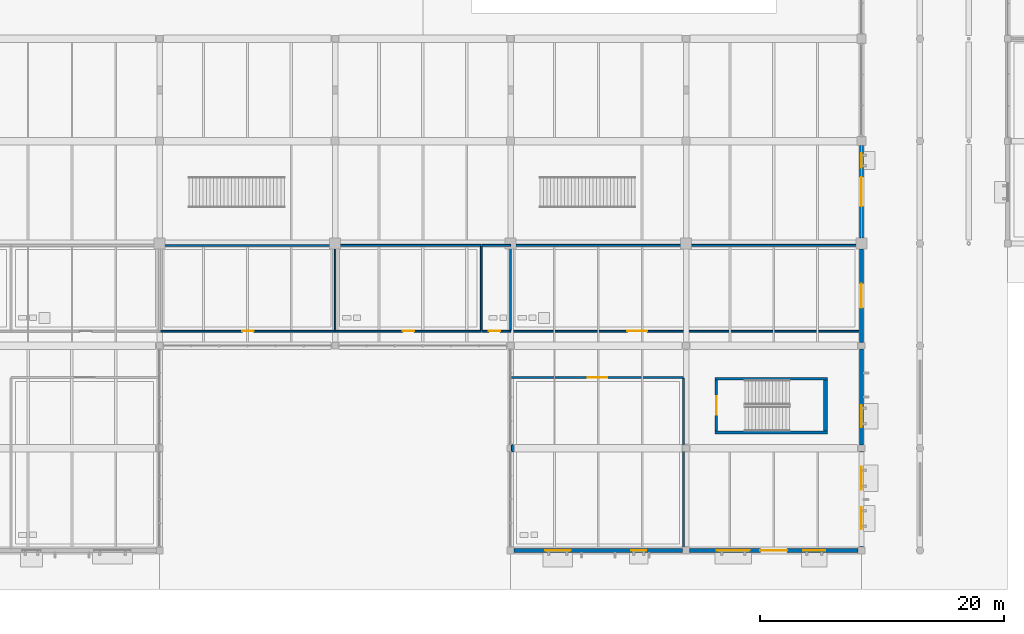
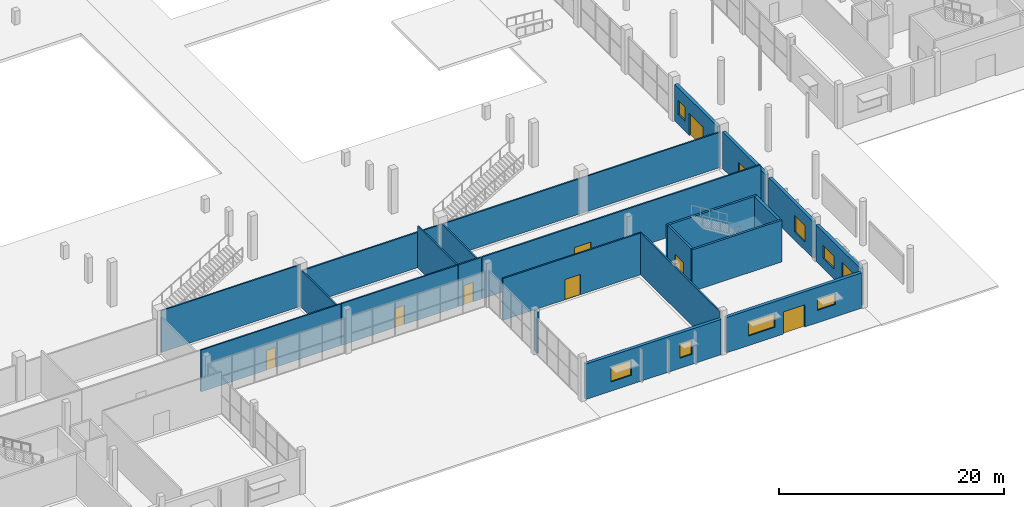
# One storey, part 92 of 130: 24 walls, 9 doors, 8 windows, 17 openings.
"""IFC4 building model written with IfcOpenShell, lengths in metres."""

from ifc_helpers import new_model, si_unit, direction, frame, frame_2d, origin, place, context, subcontext, project, spatial, rectangle, extrude, material, layer, layer_set, type_object, element, fill, save


model = new_model("IFC4")

# Units and contexts
model_context = context("Model", 3, precision=1e-05, world=origin(), true_north=direction((0.0, 1.0)))
body_context = subcontext(model_context, "Body", "Model", "MODEL_VIEW")
ifc_project = project(units=[si_unit("LENGTHUNIT", "METRE"), si_unit("AREAUNIT", "SQUARE_METRE"), si_unit("VOLUMEUNIT", "CUBIC_METRE"), si_unit("PLANEANGLEUNIT", "RADIAN"), si_unit("MASSUNIT", "GRAM", prefix="KILO"), si_unit("THERMODYNAMICTEMPERATUREUNIT", "KELVIN")], contexts=[model_context])

# Site, building, storey
site_placement = place(None, origin())
site = spatial("IfcSite", under=ifc_project, at=site_placement, CompositionType="ELEMENT")
building_placement = place(site_placement, origin())
building = spatial("IfcBuilding", under=site, at=building_placement, Name="Nduvali Passage Aquatics Centre", CompositionType="ELEMENT")
storey_placement = place(building_placement, origin())
storey = spatial("IfcBuildingStorey", under=building, at=storey_placement, Name="L00", CompositionType="ELEMENT", Elevation=0.0)

# Wall, openings, windows
ifc_material_1 = material(Name="Coral-stone masonry blockwork", Category="masonry")
ifc_layer_1 = layer(ifc_material_1, 0.320068359375, Name="Coral-stone masonry blockwork")
ifc_layer_set_1 = layer_set([ifc_layer_1], Name="Coral-stone masonry blockwork")
wall_type_1 = type_object("IfcWallType", Name="ENV-WAL-CORAL320", PredefinedType="STANDARD", material=ifc_layer_set_1)
wall_1_placement = place(storey_placement, frame((97.47509765625, 0.0, 0.0), z_axis=(0.0, 0.0, 1.0), x_axis=(1.0, 0.0, 0.0)))
wall_1 = element("IfcWall", 1, at=wall_1_placement, inside=storey, type_object=wall_type_1, Name="L00 South Coral Facade 0003", PredefinedType="STANDARD", context=body_context, shape_type="SweptSolid", body=[
    extrude(rectangle(XDim=13.849853515625, YDim=0.320068359375, at=frame_2d((6.9248046875, 0.0))), origin(), (0.0, 0.0, 1.0), 3.83251953125),
])
opening_1_placement = place(wall_1_placement, frame((2.551025390625, 0.0, 1.0)))
opening_1 = element("IfcOpeningElement", 2, at=opening_1_placement, cuts=wall_1, Name="Opening W5", PredefinedType="OPENING", context=body_context, shape_type="SweptSolid", body=[
    extrude(rectangle(XDim=2.10009765625, YDim=1.60009765625, at=frame_2d((1.050048828125, 0.800048828125))), frame((0.0, 0.1748046875, 0.0), z_axis=(0.0, -1.0, 0.0), x_axis=(1.0, 0.0, 0.0)), (0.0, 0.0, 1.0), 0.349853515625),
])
opening_2_placement = place(wall_1_placement, frame((9.64892578125, 0.0, 1.10009765625)))
opening_2 = element("IfcOpeningElement", 3, at=opening_2_placement, cuts=wall_1, Name="Opening W6", PredefinedType="OPENING", context=body_context, shape_type="SweptSolid", body=[
    extrude(rectangle(XDim=1.199951171875, YDim=1.5, at=frame_2d((0.60009765625, 0.75))), frame((0.0, 0.1748046875, 0.0), z_axis=(0.0, -1.0, 0.0), x_axis=(1.0, 0.0, 0.0)), (0.0, 0.0, 1.0), 0.349853515625),
])
ifc_material_2 = material(Name="Aluminium-framed solar-control low-E IGU", Category="aluminium")
window_type_1 = type_object("IfcWindowType", Name="ENV-WIN-W5", PartitioningType="SINGLE_PANEL", PredefinedType="WINDOW", material=ifc_material_2)
window_1_placement = place(opening_1_placement, origin())
window_1 = element("IfcWindow", 4, at=window_1_placement, inside=storey, type_object=window_type_1, Name="L00 Exterior Window W5-0005", OverallHeight=1.60009765625, OverallWidth=2.10009765625, PartitioningType="SINGLE_PANEL", PredefinedType="WINDOW", context=body_context, shape_type="SweptSolid", body=[
    extrude(rectangle(XDim=2.10009765625, YDim=1.60009765625, at=frame_2d((1.050048828125, 0.800048828125))), frame((0.0, 0.030029296875, 0.0), z_axis=(0.0, -1.0, 0.0), x_axis=(1.0, 0.0, 0.0)), (0.0, 0.0, 1.0), 0.06005859375),
])
fill(opening_1, window_1)
window_type_2 = type_object("IfcWindowType", Name="ENV-WIN-W6", PartitioningType="SINGLE_PANEL", PredefinedType="WINDOW", material=ifc_material_2)
window_2_placement = place(opening_2_placement, origin())
window_2 = element("IfcWindow", 5, at=window_2_placement, inside=storey, type_object=window_type_2, Name="L00 Exterior Window W6-0006", OverallHeight=1.5, OverallWidth=1.199951171875, PartitioningType="SINGLE_PANEL", PredefinedType="WINDOW", context=body_context, shape_type="SweptSolid", body=[
    extrude(rectangle(XDim=1.199951171875, YDim=1.5, at=frame_2d((0.60009765625, 0.75))), frame((0.0, 0.030029296875, 0.0), z_axis=(0.0, -1.0, 0.0), x_axis=(1.0, 0.0, 0.0)), (0.0, 0.0, 1.0), 0.06005859375),
])
fill(opening_2, window_2)

# Wall, openings, door, windows
wall_2_placement = place(storey_placement, frame((111.875, 0.0, 0.0), z_axis=(0.0, 0.0, 1.0), x_axis=(1.0, 0.0, 0.0)))
wall_2 = element("IfcWall", 6, at=wall_2_placement, inside=storey, type_object=wall_type_1, Name="L00 South Coral Facade 0004", PredefinedType="STANDARD", context=body_context, shape_type="SweptSolid", body=[
    extrude(rectangle(XDim=13.85009765625, YDim=0.320068359375, at=frame_2d((6.925048828125, 0.0))), origin(), (0.0, 0.0, 1.0), 3.83251953125),
])
opening_3_placement = place(wall_2_placement, frame((5.824951171875, 0.0, 0.0)))
opening_3 = element("IfcOpeningElement", 7, at=opening_3_placement, cuts=wall_2, Name="Opening ED1B", PredefinedType="OPENING", context=body_context, shape_type="SweptSolid", body=[
    extrude(rectangle(XDim=2.199951171875, YDim=2.39990234375, at=frame_2d((1.10009765625, 1.199951171875))), frame((0.0, 0.1748046875, 0.0), z_axis=(0.0, -1.0, 0.0), x_axis=(1.0, 0.0, 0.0)), (0.0, 0.0, 1.0), 0.349853515625),
])
opening_4_placement = place(wall_2_placement, frame((2.2509765625, 0.0, 1.050048828125)))
opening_4 = element("IfcOpeningElement", 8, at=opening_4_placement, cuts=wall_2, Name="Opening W7", PredefinedType="OPENING", context=body_context, shape_type="SweptSolid", body=[
    extrude(rectangle(XDim=2.699951171875, YDim=1.5, at=frame_2d((1.35009765625, 0.75))), frame((0.0, 0.1748046875, 0.0), z_axis=(0.0, -1.0, 0.0), x_axis=(1.0, 0.0, 0.0)), (0.0, 0.0, 1.0), 0.349853515625),
])
opening_5_placement = place(wall_2_placement, frame((9.34912109375, 0.0, 1.35009765625)))
opening_5 = element("IfcOpeningElement", 9, at=opening_5_placement, cuts=wall_2, Name="Opening W8", PredefinedType="OPENING", context=body_context, shape_type="SweptSolid", body=[
    extrude(rectangle(XDim=1.800048828125, YDim=1.199951171875, at=frame_2d((0.89990234375, 0.60009765625))), frame((0.0, 0.1748046875, 0.0), z_axis=(0.0, -1.0, 0.0), x_axis=(1.0, 0.0, 0.0)), (0.0, 0.0, 1.0), 0.349853515625),
])
ifc_material_3 = material(Name="Aluminium-framed glazed door", Category="aluminium")
door_type_1 = type_object("IfcDoorType", Name="ENV-DR-EX220", OperationType="DOUBLE_DOOR_SINGLE_SWING", PredefinedType="DOOR", material=ifc_material_3)
door_1_placement = place(opening_3_placement, frame((2.199951171875, 0.0, 0.0), z_axis=(0.0, 0.0, 1.0), x_axis=(-1.0, 0.0, 0.0)))
door_1 = element("IfcDoor", 10, at=door_1_placement, inside=storey, type_object=door_type_1, Name="L00 Exterior Exit Door ED1B-002", OperationType="DOUBLE_DOOR_SINGLE_SWING", OverallHeight=2.39990234375, OverallWidth=2.199951171875, PredefinedType="DOOR", context=body_context, shape_type="SweptSolid", body=[
    extrude(rectangle(XDim=2.199951171875, YDim=2.39990234375, at=frame_2d((1.10009765625, 1.199951171875))), frame((0.0, 0.02490234375, 0.0), z_axis=(0.0, -1.0, 0.0), x_axis=(1.0, 0.0, 0.0)), (0.0, 0.0, 1.0), 0.050048828125),
])
fill(opening_3, door_1)
window_type_3 = type_object("IfcWindowType", Name="ENV-WIN-W7", PartitioningType="SINGLE_PANEL", PredefinedType="WINDOW", material=ifc_material_2)
window_3_placement = place(opening_4_placement, origin())
window_3 = element("IfcWindow", 11, at=window_3_placement, inside=storey, type_object=window_type_3, Name="L00 Exterior Window W7-0007", OverallHeight=1.5, OverallWidth=2.699951171875, PartitioningType="SINGLE_PANEL", PredefinedType="WINDOW", context=body_context, shape_type="SweptSolid", body=[
    extrude(rectangle(XDim=2.699951171875, YDim=1.5, at=frame_2d((1.35009765625, 0.75))), frame((0.0, 0.030029296875, 0.0), z_axis=(0.0, -1.0, 0.0), x_axis=(1.0, 0.0, 0.0)), (0.0, 0.0, 1.0), 0.06005859375),
])
fill(opening_4, window_3)
window_type_4 = type_object("IfcWindowType", Name="ENV-WIN-W8", PartitioningType="SINGLE_PANEL", PredefinedType="WINDOW", material=ifc_material_2)
window_4_placement = place(opening_5_placement, origin())
window_4 = element("IfcWindow", 12, at=window_4_placement, inside=storey, type_object=window_type_4, Name="L00 Exterior Window W8-0008", OverallHeight=1.199951171875, OverallWidth=1.800048828125, PartitioningType="SINGLE_PANEL", PredefinedType="WINDOW", context=body_context, shape_type="SweptSolid", body=[
    extrude(rectangle(XDim=1.800048828125, YDim=1.199951171875, at=frame_2d((0.89990234375, 0.60009765625))), frame((0.0, 0.030029296875, 0.0), z_axis=(0.0, -1.0, 0.0), x_axis=(1.0, 0.0, 0.0)), (0.0, 0.0, 1.0), 0.06005859375),
])
fill(opening_5, window_4)

# Wall, openings, windows
wall_3_placement = place(storey_placement, frame((126.0, 0.27490234375, 0.0), z_axis=(0.0, 0.0, 1.0), x_axis=(0.0, 1.0, 0.0)))
wall_3 = element("IfcWall", 13, at=wall_3_placement, inside=storey, type_object=wall_type_1, Name="L00 External Coral-Stone Wall 0006", PredefinedType="STANDARD", context=body_context, shape_type="SweptSolid", body=[
    extrude(rectangle(XDim=7.85009765625, YDim=0.320068359375, at=frame_2d((3.925048828125, 0.0))), origin(), (0.0, 0.0, 1.0), 3.976318359375),
])
opening_6_placement = place(wall_3_placement, frame((1.455078125, 0.0, 0.89990234375)))
opening_6 = element("IfcOpeningElement", 14, at=opening_6_placement, cuts=wall_3, Name="Opening W2", PredefinedType="OPENING", context=body_context, shape_type="SweptSolid", body=[
    extrude(rectangle(XDim=1.800048828125, YDim=1.800048828125, at=frame_2d((0.89990234375, 0.89990234375))), frame((0.0, 0.1748046875, 0.0), z_axis=(0.0, -1.0, 0.0), x_axis=(1.0, 0.0, 0.0)), (0.0, 0.0, 1.0), 0.349853515625),
])
opening_7_placement = place(wall_3_placement, frame((4.701904296875, 0.0, 1.10009765625)))
opening_7 = element("IfcOpeningElement", 15, at=opening_7_placement, cuts=wall_3, Name="Opening W16", PredefinedType="OPENING", context=body_context, shape_type="SweptSolid", body=[
    extrude(rectangle(XDim=1.89990234375, YDim=1.39990234375, at=frame_2d((0.949951171875, 0.699951171875))), frame((0.0, 0.1748046875, 0.0), z_axis=(0.0, -1.0, 0.0), x_axis=(1.0, 0.0, 0.0)), (0.0, 0.0, 1.0), 0.349853515625),
])
window_type_5 = type_object("IfcWindowType", Name="ENV-WIN-W16", PartitioningType="SINGLE_PANEL", PredefinedType="WINDOW", material=ifc_material_2)
window_5_placement = place(opening_7_placement, origin())
window_5 = element("IfcWindow", 16, at=window_5_placement, inside=storey, type_object=window_type_5, Name="L00 Exterior Window W16-0012", OverallHeight=1.39990234375, OverallWidth=1.89990234375, PartitioningType="SINGLE_PANEL", PredefinedType="WINDOW", context=body_context, shape_type="SweptSolid", body=[
    extrude(rectangle(XDim=1.89990234375, YDim=1.39990234375, at=frame_2d((0.949951171875, 0.699951171875))), frame((0.0, 0.030029296875, 0.0), z_axis=(0.0, -1.0, 0.0), x_axis=(1.0, 0.0, 0.0)), (0.0, 0.0, 1.0), 0.06005859375),
])
fill(opening_7, window_5)
window_type_6 = type_object("IfcWindowType", Name="ENV-WIN-W2", PartitioningType="SINGLE_PANEL", PredefinedType="WINDOW", material=ifc_material_2)
window_6_placement = place(opening_6_placement, origin())
window_6 = element("IfcWindow", 17, at=window_6_placement, inside=storey, type_object=window_type_6, Name="L00 Exterior Window W2-0011", OverallHeight=1.800048828125, OverallWidth=1.800048828125, PartitioningType="SINGLE_PANEL", PredefinedType="WINDOW", context=body_context, shape_type="SweptSolid", body=[
    extrude(rectangle(XDim=1.800048828125, YDim=1.800048828125, at=frame_2d((0.89990234375, 0.89990234375))), frame((0.0, 0.030029296875, 0.0), z_axis=(0.0, -1.0, 0.0), x_axis=(1.0, 0.0, 0.0)), (0.0, 0.0, 1.0), 0.06005859375),
])
fill(opening_6, window_6)

# Wall, opening, window
wall_4_placement = place(storey_placement, frame((126.0, 8.675048828125, 0.0), z_axis=(0.0, 0.0, 1.0), x_axis=(0.0, 1.0, 0.0)))
wall_4 = element("IfcWall", 18, at=wall_4_placement, inside=storey, type_object=wall_type_1, Name="L00 External Coral-Stone Wall 0008", PredefinedType="STANDARD", context=body_context, shape_type="SweptSolid", body=[
    extrude(rectangle(XDim=7.849853515625, YDim=0.320068359375, at=frame_2d((3.9248046875, 0.0))), origin(), (0.0, 0.0, 1.0), 3.976318359375),
])
opening_8_placement = place(wall_4_placement, frame((1.455078125, 0.0, 0.89990234375)))
opening_8 = element("IfcOpeningElement", 19, at=opening_8_placement, cuts=wall_4, Name="Opening W2", PredefinedType="OPENING", context=body_context, shape_type="SweptSolid", body=[
    extrude(rectangle(XDim=1.800048828125, YDim=1.800048828125, at=frame_2d((0.89990234375, 0.89990234375))), frame((0.0, 0.1748046875, 0.0), z_axis=(0.0, -1.0, 0.0), x_axis=(1.0, 0.0, 0.0)), (0.0, 0.0, 1.0), 0.349853515625),
])
window_7_placement = place(opening_8_placement, origin())
window_7 = element("IfcWindow", 20, at=window_7_placement, inside=storey, type_object=window_type_6, Name="L00 Exterior Window W2-0013", OverallHeight=1.800048828125, OverallWidth=1.800048828125, PartitioningType="SINGLE_PANEL", PredefinedType="WINDOW", context=body_context, shape_type="SweptSolid", body=[
    extrude(rectangle(XDim=1.800048828125, YDim=1.800048828125, at=frame_2d((0.89990234375, 0.89990234375))), frame((0.0, 0.030029296875, 0.0), z_axis=(0.0, -1.0, 0.0), x_axis=(1.0, 0.0, 0.0)), (0.0, 0.0, 1.0), 0.06005859375),
])
fill(opening_8, window_7)

# Wall, opening, door
wall_5_placement = place(storey_placement, frame((126.0, 17.074951171875, 0.0), z_axis=(0.0, 0.0, 1.0), x_axis=(0.0, 1.0, 0.0)))
wall_5 = element("IfcWall", 21, at=wall_5_placement, inside=storey, type_object=wall_type_1, Name="L00 External Coral-Stone Wall 0010", PredefinedType="STANDARD", context=body_context, shape_type="SweptSolid", body=[
    extrude(rectangle(XDim=7.675048828125, YDim=0.320068359375, at=frame_2d((3.83740234375, 0.0))), origin(), (0.0, 0.0, 1.0), 3.976318359375),
])
opening_9_placement = place(wall_5_placement, frame((2.837890625, 0.0, 0.0)))
opening_9 = element("IfcOpeningElement", 22, at=opening_9_placement, cuts=wall_5, Name="Opening ED2", PredefinedType="OPENING", context=body_context, shape_type="SweptSolid", body=[
    extrude(rectangle(XDim=2.0, YDim=2.39990234375, at=frame_2d((1.0, 1.199951171875))), frame((0.0, 0.1748046875, 0.0), z_axis=(0.0, -1.0, 0.0), x_axis=(1.0, 0.0, 0.0)), (0.0, 0.0, 1.0), 0.349853515625),
])
door_type_2 = type_object("IfcDoorType", Name="ENV-DR-EX200", OperationType="DOUBLE_DOOR_SINGLE_SWING", PredefinedType="DOOR", material=ifc_material_3)
door_2_placement = place(opening_9_placement, frame((2.0, 0.0, 0.0), z_axis=(0.0, 0.0, 1.0), x_axis=(-1.0, 0.0, 0.0)))
door_2 = element("IfcDoor", 23, at=door_2_placement, inside=storey, type_object=door_type_2, Name="L00 Exterior Exit Door ED2-004", OperationType="DOUBLE_DOOR_SINGLE_SWING", OverallHeight=2.39990234375, OverallWidth=2.0, PredefinedType="DOOR", context=body_context, shape_type="SweptSolid", body=[
    extrude(rectangle(XDim=2.0, YDim=2.39990234375, at=frame_2d((1.0, 1.199951171875))), frame((0.0, 0.02490234375, 0.0), z_axis=(0.0, -1.0, 0.0), x_axis=(1.0, 0.0, 0.0)), (0.0, 0.0, 1.0), 0.050048828125),
])
fill(opening_9, door_2)

# Wall, openings, door, window
wall_6_placement = place(storey_placement, frame((126.0, 25.64990234375, 0.0), z_axis=(0.0, 0.0, 1.0), x_axis=(0.0, 1.0, 0.0)))
wall_6 = element("IfcWall", 24, at=wall_6_placement, inside=storey, type_object=wall_type_1, Name="L00 Pool Hall Passage Entry 0047", PredefinedType="STANDARD", context=body_context, shape_type="SweptSolid", body=[
    extrude(rectangle(XDim=7.5751953125, YDim=0.320068359375, at=frame_2d((3.78759765625, 0.0))), origin(), (0.0, 0.0, 1.0), 3.976318359375),
])
opening_10_placement = place(wall_6_placement, frame((2.587890625, 0.0, 0.0)))
opening_10 = element("IfcOpeningElement", 25, at=opening_10_placement, cuts=wall_6, Name="Opening ED1", PredefinedType="OPENING", context=body_context, shape_type="SweptSolid", body=[
    extrude(rectangle(XDim=2.39990234375, YDim=2.39990234375, at=frame_2d((1.199951171875, 1.199951171875))), frame((0.0, 0.1748046875, 0.0), z_axis=(0.0, -1.0, 0.0), x_axis=(1.0, 0.0, 0.0)), (0.0, 0.0, 1.0), 0.349853515625),
])
opening_11_placement = place(wall_6_placement, frame((5.762939453125, 0.0, 1.10009765625)))
opening_11 = element("IfcOpeningElement", 26, at=opening_11_placement, cuts=wall_6, Name="Opening W6", PredefinedType="OPENING", context=body_context, shape_type="SweptSolid", body=[
    extrude(rectangle(XDim=1.199951171875, YDim=1.5, at=frame_2d((0.60009765625, 0.75))), frame((0.0, 0.1748046875, 0.0), z_axis=(0.0, -1.0, 0.0), x_axis=(1.0, 0.0, 0.0)), (0.0, 0.0, 1.0), 0.349853515625),
])
door_type_3 = type_object("IfcDoorType", Name="ENV-DR-EX240", OperationType="DOUBLE_DOOR_SINGLE_SWING", PredefinedType="DOOR", material=ifc_material_3)
door_3_placement = place(opening_10_placement, frame((2.39990234375, 0.0, 0.0), z_axis=(0.0, 0.0, 1.0), x_axis=(-1.0, 0.0, 0.0)))
door_3 = element("IfcDoor", 27, at=door_3_placement, inside=storey, type_object=door_type_3, Name="L00 Exterior Exit Door ED1-010", OperationType="DOUBLE_DOOR_SINGLE_SWING", OverallHeight=2.39990234375, OverallWidth=2.39990234375, PredefinedType="DOOR", context=body_context, shape_type="SweptSolid", body=[
    extrude(rectangle(XDim=2.39990234375, YDim=2.39990234375, at=frame_2d((1.199951171875, 1.199951171875))), frame((0.0, 0.02490234375, 0.0), z_axis=(0.0, -1.0, 0.0), x_axis=(1.0, 0.0, 0.0)), (0.0, 0.0, 1.0), 0.050048828125),
])
fill(opening_10, door_3)
window_8_placement = place(opening_11_placement, origin())
window_8 = element("IfcWindow", 28, at=window_8_placement, inside=storey, type_object=window_type_2, Name="L00 Exterior Window W6-0054", OverallHeight=1.5, OverallWidth=1.199951171875, PartitioningType="SINGLE_PANEL", PredefinedType="WINDOW", context=body_context, shape_type="SweptSolid", body=[
    extrude(rectangle(XDim=1.199951171875, YDim=1.5, at=frame_2d((0.60009765625, 0.75))), frame((0.0, 0.030029296875, 0.0), z_axis=(0.0, -1.0, 0.0), x_axis=(1.0, 0.0, 0.0)), (0.0, 0.0, 1.0), 0.06005859375),
])
fill(opening_11, window_8)

# Walls
ifc_material_4 = material(Name="Concrete C40/50", Category="concrete")
ifc_layer_2 = layer(ifc_material_4, 0.219970703125, Name="Concrete C40/50")
ifc_layer_set_2 = layer_set([ifc_layer_2], Name="Concrete C40/50")
wall_type_2 = type_object("IfcWallType", Name="INT-WAL-CORE220", PredefinedType="SOLIDWALL", material=ifc_layer_set_2)
for number, where, z_axis, x_axis, name in (
    (29, (113.97998046875, 9.68994140625, 0.0), (0.0, 0.0, 1.0), (1.0, 0.0, 0.0), "L00 Stair ST6 Core Wall S"),
    (30, (123.199951171875, 14.10009765625, 0.0), (0.0, 0.0, 1.0), (-1.0, 0.0, 0.0), "L00 Stair ST6 Core Wall N"),
):
    element("IfcWall", number, at=place(storey_placement, frame(where, z_axis=z_axis, x_axis=x_axis)), inside=storey, type_object=wall_type_2, Name=name, PredefinedType="SOLIDWALL", context=body_context, shape_type="SweptSolid", body=[
        extrude(rectangle(XDim=9.219970703125, YDim=0.219970703125, at=frame_2d((4.60986328125, 0.0))), origin(), (0.0, 0.0, 1.0), 4.52001953125),
    ])

# Wall, opening, door
wall_7_placement = place(storey_placement, frame((114.090087890625, 13.989990234375, 0.0), z_axis=(0.0, 0.0, 1.0), x_axis=(0.0, -1.0, 0.0)))
wall_7 = element("IfcWall", 31, at=wall_7_placement, inside=storey, type_object=wall_type_2, Name="L00 Stair ST6 Core Wall W", PredefinedType="SOLIDWALL", context=body_context, shape_type="SweptSolid", body=[
    extrude(rectangle(XDim=4.18994140625, YDim=0.219970703125, at=frame_2d((2.094970703125, 0.0))), origin(), (0.0, 0.0, 1.0), 4.52001953125),
])
opening_12_placement = place(wall_7_placement, frame((1.344970703125, 0.0, 0.0)))
opening_12 = element("IfcOpeningElement", 32, at=opening_12_placement, cuts=wall_7, Name="Opening FD-ST1", PredefinedType="OPENING", context=body_context, shape_type="SweptSolid", body=[
    extrude(rectangle(XDim=1.5, YDim=2.199951171875, at=frame_2d((0.75, 1.10009765625))), frame((0.0, 0.125, 0.0), z_axis=(0.0, -1.0, 0.0), x_axis=(1.0, 0.0, 0.0)), (0.0, 0.0, 1.0), 0.249755859375),
])
ifc_material_5 = material(Name="Galvanised steel door", Category="steel")
door_type_4 = type_object("IfcDoorType", Name="INT-DR-ST150", OperationType="DOUBLE_DOOR_SINGLE_SWING", PredefinedType="DOOR", material=ifc_material_5)
door_4_placement = place(opening_12_placement, origin())
door_4 = element("IfcDoor", 33, at=door_4_placement, inside=storey, type_object=door_type_4, Name="L00 Stair ST6 Fire Lobby Door", OperationType="DOUBLE_DOOR_SINGLE_SWING", OverallHeight=2.199951171875, OverallWidth=1.5, PredefinedType="DOOR", context=body_context, shape_type="SweptSolid", body=[
    extrude(rectangle(XDim=1.5, YDim=2.199951171875, at=frame_2d((0.75, 1.10009765625))), frame((0.0, 0.02490234375, 0.0), z_axis=(0.0, -1.0, 0.0), x_axis=(1.0, 0.0, 0.0)), (0.0, 0.0, 1.0), 0.050048828125),
])
fill(opening_12, door_4)

ifc_material_6 = material(Name="Gypsum acoustic stud partition")
ifc_layer_3 = layer(ifc_material_6, 0.139892578125, Name="Gypsum acoustic stud partition")
ifc_layer_set_3 = layer_set([ifc_layer_3], Name="Gypsum acoustic stud partition")
wall_type_3 = type_object("IfcWallType", Name="INT-WAL-PART140", PredefinedType="PARTITIONING", material=ifc_layer_set_3)
wall_8_placement = place(storey_placement, frame((68.47509765625, 18.0, 0.0), z_axis=(0.0, 0.0, 1.0), x_axis=(1.0, 0.0, 0.0)))
wall_8 = element("IfcWall", 34, at=wall_8_placement, inside=storey, type_object=wall_type_3, Name="L00 Poolside First Aid and Lifeguard Medical Room Partition 0052", PredefinedType="PARTITIONING", context=body_context, shape_type="SweptSolid", body=[
    extrude(rectangle(XDim=14.324951171875, YDim=0.139892578125, at=frame_2d((7.16259765625, 0.0))), origin(), (0.0, 0.0, 1.0), 4.52001953125),
])
opening_13_placement = place(wall_8_placement, frame((6.68701171875, 0.0, 0.0)))
opening_13 = element("IfcOpeningElement", 35, at=opening_13_placement, cuts=wall_8, Name="Opening ID2", PredefinedType="OPENING", context=body_context, shape_type="SweptSolid", body=[
    extrude(rectangle(XDim=0.949951171875, YDim=2.14990234375, at=frame_2d((0.47509765625, 1.074951171875))), frame((0.0, 0.0849609375, 0.0), z_axis=(0.0, -1.0, 0.0), x_axis=(1.0, 0.0, 0.0)), (0.0, 0.0, 1.0), 0.169677734375),
])
ifc_material_7 = material(Name="Timber solid-core door", Category="wood")
door_type_5 = type_object("IfcDoorType", Name="INT-DR-STD95", OperationType="NOTDEFINED", PredefinedType="DOOR", material=ifc_material_7)
door_5_placement = place(opening_13_placement, origin())
door_5 = element("IfcDoor", 36, at=door_5_placement, inside=storey, type_object=door_type_5, Name="L00 Poolside First Aid and Lifeguard Medical Room Door 0018", OperationType="SINGLE_SWING_LEFT", OverallHeight=2.14990234375, OverallWidth=0.949951171875, PredefinedType="DOOR", context=body_context, shape_type="SweptSolid", body=[
    extrude(rectangle(XDim=0.949951171875, YDim=2.14990234375, at=frame_2d((0.47509765625, 1.074951171875))), frame((0.0, 0.02490234375, 0.0), z_axis=(0.0, -1.0, 0.0), x_axis=(1.0, 0.0, 0.0)), (0.0, 0.0, 1.0), 0.050048828125),
])
fill(opening_13, door_5)

# Walls
wall_9_placement = place(storey_placement, frame((68.47509765625, 25.0400390625, 0.0), z_axis=(0.0, 0.0, 1.0), x_axis=(1.0, 0.0, 0.0)))
element("IfcWall", 37, at=wall_9_placement, inside=storey, type_object=wall_type_3, Name="L00 Poolside First Aid and Lifeguard Medical Room Partition 0053", PredefinedType="PARTITIONING", context=body_context, shape_type="SweptSolid", body=[
    extrude(rectangle(XDim=14.324951171875, YDim=0.139892578125, at=frame_2d((7.16259765625, 0.0))), origin(), (0.0, 0.0, 1.0), 4.52001953125),
])
wall_10_placement = place(storey_placement, frame((82.800048828125, 18.070068359375, 0.0), z_axis=(0.0, 0.0, 1.0), x_axis=(0.0, 1.0, 0.0)))
element("IfcWall", 38, at=wall_10_placement, inside=storey, type_object=wall_type_3, Name="L00 Poolside First Aid and Lifeguard Medical Room Partition 0054", PredefinedType="PARTITIONING", context=body_context, shape_type="SweptSolid", body=[
    extrude(rectangle(XDim=6.89990234375, YDim=0.139892578125, at=frame_2d((3.449951171875, 0.0))), origin(), (0.0, 0.0, 1.0), 3.976318359375),
])

# Wall, opening, door
ifc_layer_4 = layer(ifc_material_1, 0.14990234375, Name="Coral-stone masonry blockwork")
ifc_layer_set_4 = layer_set([ifc_layer_4], Name="Coral-stone masonry blockwork")
wall_type_4 = type_object("IfcWallType", Name="INT-WAL-WET150", PredefinedType="PLUMBINGWALL", material=ifc_layer_set_4)
wall_11_placement = place(storey_placement, frame((82.8701171875, 18.0, 0.0), z_axis=(0.0, 0.0, 1.0), x_axis=(1.0, 0.0, 0.0)))
wall_11 = element("IfcWall", 39, at=wall_11_placement, inside=storey, type_object=wall_type_4, Name="L00 Bather Wet Toilets and Washrooms Partition 0055", PredefinedType="PLUMBINGWALL", context=body_context, shape_type="SweptSolid", body=[
    extrude(rectangle(XDim=11.929931640625, YDim=0.14990234375, at=frame_2d((5.96484375, 0.0))), origin(), (0.0, 0.0, 1.0), 4.52001953125),
])
opening_14_placement = place(wall_11_placement, frame((5.489990234375, 0.0, 0.0)))
opening_14 = element("IfcOpeningElement", 40, at=opening_14_placement, cuts=wall_11, Name="Opening ID3", PredefinedType="OPENING", context=body_context, shape_type="SweptSolid", body=[
    extrude(rectangle(XDim=0.949951171875, YDim=2.10009765625, at=frame_2d((0.47509765625, 1.050048828125))), frame((0.0, 0.08984375, 0.0), z_axis=(0.0, -1.0, 0.0), x_axis=(1.0, 0.0, 0.0)), (0.0, 0.0, 1.0), 0.1796875),
])
door_type_6 = type_object("IfcDoorType", Name="INT-DR-WC95", OperationType="NOTDEFINED", PredefinedType="DOOR", material=ifc_material_7)
door_6_placement = place(opening_14_placement, frame((0.949951171875, 0.0, 0.0), z_axis=(0.0, 0.0, 1.0), x_axis=(-1.0, 0.0, 0.0)))
door_6 = element("IfcDoor", 41, at=door_6_placement, inside=storey, type_object=door_type_6, Name="L00 Bather Wet Toilets and Washrooms Door 0019", OperationType="SINGLE_SWING_RIGHT", OverallHeight=2.10009765625, OverallWidth=0.949951171875, PredefinedType="DOOR", context=body_context, shape_type="SweptSolid", body=[
    extrude(rectangle(XDim=0.949951171875, YDim=2.10009765625, at=frame_2d((0.47509765625, 1.050048828125))), frame((0.0, 0.02490234375, 0.0), z_axis=(0.0, -1.0, 0.0), x_axis=(1.0, 0.0, 0.0)), (0.0, 0.0, 1.0), 0.050048828125),
])
fill(opening_14, door_6)

# Walls
wall_12_placement = place(storey_placement, frame((82.8701171875, 25.0400390625, 0.0), z_axis=(0.0, 0.0, 1.0), x_axis=(1.0, 0.0, 0.0)))
element("IfcWall", 42, at=wall_12_placement, inside=storey, type_object=wall_type_4, Name="L00 Bather Wet Toilets and Washrooms Partition 0056", PredefinedType="PLUMBINGWALL", context=body_context, shape_type="SweptSolid", body=[
    extrude(rectangle(XDim=11.929931640625, YDim=0.14990234375, at=frame_2d((5.96484375, 0.0))), origin(), (0.0, 0.0, 1.0), 3.83251953125),
])
wall_13_placement = place(storey_placement, frame((94.800048828125, 18.074951171875, 0.0), z_axis=(0.0, 0.0, 1.0), x_axis=(0.0, 1.0, 0.0)))
element("IfcWall", 43, at=wall_13_placement, inside=storey, type_object=wall_type_4, Name="L00 Bather Wet Toilets and Washrooms Partition 0057", PredefinedType="PLUMBINGWALL", context=body_context, shape_type="SweptSolid", body=[
    extrude(rectangle(XDim=6.89013671875, YDim=0.14990234375, at=frame_2d((3.445068359375, 0.0))), origin(), (0.0, 0.0, 1.0), 4.52001953125),
])

# Wall, opening, door
wall_14_placement = place(storey_placement, frame((94.875, 18.0, 0.0), z_axis=(0.0, 0.0, 1.0), x_axis=(1.0, 0.0, 0.0)))
wall_14 = element("IfcWall", 44, at=wall_14_placement, inside=storey, type_object=wall_type_4, Name="L00 South Changing Accessible WC Partition 0058", PredefinedType="PLUMBINGWALL", context=body_context, shape_type="SweptSolid", body=[
    extrude(rectangle(XDim=2.324951171875, YDim=0.14990234375, at=frame_2d((1.16259765625, 0.0))), origin(), (0.0, 0.0, 1.0), 4.52001953125),
])
opening_15_placement = place(wall_14_placement, frame((0.547119140625, 0.0, 0.0)))
opening_15 = element("IfcOpeningElement", 45, at=opening_15_placement, cuts=wall_14, Name="Opening ID3", PredefinedType="OPENING", context=body_context, shape_type="SweptSolid", body=[
    extrude(rectangle(XDim=0.949951171875, YDim=2.10009765625, at=frame_2d((0.47509765625, 1.050048828125))), frame((0.0, 0.08984375, 0.0), z_axis=(0.0, -1.0, 0.0), x_axis=(1.0, 0.0, 0.0)), (0.0, 0.0, 1.0), 0.1796875),
])
door_7_placement = place(opening_15_placement, origin())
door_7 = element("IfcDoor", 46, at=door_7_placement, inside=storey, type_object=door_type_6, Name="L00 South Changing Accessible WC Door 0020", OperationType="SINGLE_SWING_LEFT", OverallHeight=2.10009765625, OverallWidth=0.949951171875, PredefinedType="DOOR", context=body_context, shape_type="SweptSolid", body=[
    extrude(rectangle(XDim=0.949951171875, YDim=2.10009765625, at=frame_2d((0.47509765625, 1.050048828125))), frame((0.0, 0.02490234375, 0.0), z_axis=(0.0, -1.0, 0.0), x_axis=(1.0, 0.0, 0.0)), (0.0, 0.0, 1.0), 0.050048828125),
])
fill(opening_15, door_7)

# Walls
wall_15_placement = place(storey_placement, frame((94.875, 25.0400390625, 0.0), z_axis=(0.0, 0.0, 1.0), x_axis=(1.0, 0.0, 0.0)))
element("IfcWall", 47, at=wall_15_placement, inside=storey, type_object=wall_type_4, Name="L00 South Changing Accessible WC Partition 0059", PredefinedType="PLUMBINGWALL", context=body_context, shape_type="SweptSolid", body=[
    extrude(rectangle(XDim=2.324951171875, YDim=0.14990234375, at=frame_2d((1.16259765625, 0.0))), origin(), (0.0, 0.0, 1.0), 3.83251953125),
])
wall_16_placement = place(storey_placement, frame((97.199951171875, 18.074951171875, 0.0), z_axis=(0.0, 0.0, 1.0), x_axis=(0.0, 1.0, 0.0)))
element("IfcWall", 48, at=wall_16_placement, inside=storey, type_object=wall_type_4, Name="L00 South Changing Accessible WC Partition 0060", PredefinedType="PLUMBINGWALL", context=body_context, shape_type="SweptSolid", body=[
    extrude(rectangle(XDim=6.89013671875, YDim=0.14990234375, at=frame_2d((3.445068359375, 0.0))), origin(), (0.0, 0.0, 1.0), 3.976318359375),
])

# Wall, opening, door
wall_17_placement = place(storey_placement, frame((97.219970703125, 14.199951171875, 0.0), z_axis=(0.0, 0.0, 1.0), x_axis=(1.0, 0.0, 0.0)))
wall_17 = element("IfcWall", 49, at=wall_17_placement, inside=storey, type_object=wall_type_4, Name="L00 East Pre-Swim Cleansing Shower Gallery Partition 0061", PredefinedType="PLUMBINGWALL", context=body_context, shape_type="SweptSolid", body=[
    extrude(rectangle(XDim=14.179931640625, YDim=0.14990234375, at=frame_2d((7.08984375, 0.0))), origin(), (0.0, 0.0, 1.0), 4.52001953125),
])
opening_16_placement = place(wall_17_placement, frame((6.3349609375, 0.0, 0.0)))
opening_16 = element("IfcOpeningElement", 50, at=opening_16_placement, cuts=wall_17, Name="Opening ID4", PredefinedType="OPENING", context=body_context, shape_type="SweptSolid", body=[
    extrude(rectangle(XDim=1.60009765625, YDim=2.199951171875, at=frame_2d((0.800048828125, 1.10009765625))), frame((0.0, 0.08984375, 0.0), z_axis=(0.0, -1.0, 0.0), x_axis=(1.0, 0.0, 0.0)), (0.0, 0.0, 1.0), 0.1796875),
])
door_type_7 = type_object("IfcDoorType", Name="INT-DR-DBL160", OperationType="DOUBLE_DOOR_SINGLE_SWING", PredefinedType="DOOR", material=ifc_material_3)
door_8_placement = place(opening_16_placement, frame((1.60009765625, 0.0, 0.0), z_axis=(0.0, 0.0, 1.0), x_axis=(-1.0, 0.0, 0.0)))
door_8 = element("IfcDoor", 51, at=door_8_placement, inside=storey, type_object=door_type_7, Name="L00 East Pre-Swim Cleansing Shower Gallery Door 0021", OperationType="DOUBLE_DOOR_SINGLE_SWING", OverallHeight=2.199951171875, OverallWidth=1.60009765625, PredefinedType="DOOR", context=body_context, shape_type="SweptSolid", body=[
    extrude(rectangle(XDim=1.60009765625, YDim=2.199951171875, at=frame_2d((0.800048828125, 1.10009765625))), frame((0.0, 0.02490234375, 0.0), z_axis=(0.0, -1.0, 0.0), x_axis=(1.0, 0.0, 0.0)), (0.0, 0.0, 1.0), 0.050048828125),
])
fill(opening_16, door_8)

# Walls
wall_18_placement = place(storey_placement, frame((111.39990234375, 0.159912109375, 0.0), z_axis=(0.0, 0.0, 1.0), x_axis=(0.0, 1.0, 0.0)))
element("IfcWall", 52, at=wall_18_placement, inside=storey, type_object=wall_type_4, Name="L00 East Pre-Swim Cleansing Shower Gallery Partition 0062", PredefinedType="PLUMBINGWALL", context=body_context, shape_type="SweptSolid", body=[
    extrude(rectangle(XDim=13.965087890625, YDim=0.14990234375, at=frame_2d((6.982421875, 0.0))), origin(), (0.0, 0.0, 1.0), 4.52001953125),
])
wall_19_placement = place(storey_placement, frame((97.35009765625, 8.125, 0.0), z_axis=(0.0, 0.0, 1.0), x_axis=(0.0, 1.0, 0.0)))
element("IfcWall", 53, at=wall_19_placement, inside=storey, type_object=wall_type_4, Name="L00 East Pre-Swim Cleansing Shower Gallery Partition 0063", PredefinedType="PLUMBINGWALL", context=body_context, shape_type="SweptSolid", body=[
    extrude(rectangle(XDim=0.550048828125, YDim=0.14990234375, at=frame_2d((0.27490234375, 0.0))), origin(), (0.0, 0.0, 1.0), 4.52001953125),
])

# Wall, opening, door
wall_20_placement = place(storey_placement, frame((97.27490234375, 18.0, 0.0), z_axis=(0.0, 0.0, 1.0), x_axis=(1.0, 0.0, 0.0)))
wall_20 = element("IfcWall", 54, at=wall_20_placement, inside=storey, type_object=wall_type_4, Name="L00 Community Wet Changing Village East Partition 0064", PredefinedType="PLUMBINGWALL", context=body_context, shape_type="SweptSolid", body=[
    extrude(rectangle(XDim=28.565185546875, YDim=0.14990234375, at=frame_2d((14.28271484375, 0.0))), origin(), (0.0, 0.0, 1.0), 4.52001953125),
])
opening_17_placement = place(wall_20_placement, frame((9.486083984375, 0.0, 0.0)))
opening_17 = element("IfcOpeningElement", 55, at=opening_17_placement, cuts=wall_20, Name="Opening SD1", PredefinedType="OPENING", context=body_context, shape_type="SweptSolid", body=[
    extrude(rectangle(XDim=1.64990234375, YDim=2.25, at=frame_2d((0.824951171875, 1.125))), frame((0.0, 0.08984375, 0.0), z_axis=(0.0, -1.0, 0.0), x_axis=(1.0, 0.0, 0.0)), (0.0, 0.0, 1.0), 0.1796875),
])
door_type_8 = type_object("IfcDoorType", Name="INT-DR-SLD160", OperationType="DOUBLE_DOOR_SLIDING", PredefinedType="DOOR", material=ifc_material_3)
door_9_placement = place(opening_17_placement, origin())
door_9 = element("IfcDoor", 56, at=door_9_placement, inside=storey, type_object=door_type_8, Name="L00 Community Wet Changing Village East Door 0022", OperationType="DOUBLE_DOOR_SLIDING", OverallHeight=2.25, OverallWidth=1.64990234375, PredefinedType="DOOR", context=body_context, shape_type="SweptSolid", body=[
    extrude(rectangle(XDim=1.64990234375, YDim=2.25, at=frame_2d((0.824951171875, 1.125))), frame((0.0, 0.02490234375, 0.0), z_axis=(0.0, -1.0, 0.0), x_axis=(1.0, 0.0, 0.0)), (0.0, 0.0, 1.0), 0.050048828125),
])
fill(opening_17, door_9)

# Walls
wall_21_placement = place(storey_placement, frame((97.27490234375, 25.0400390625, 0.0), z_axis=(0.0, 0.0, 1.0), x_axis=(1.0, 0.0, 0.0)))
element("IfcWall", 57, at=wall_21_placement, inside=storey, type_object=wall_type_4, Name="L00 Community Wet Changing Village East Partition 0065", PredefinedType="PLUMBINGWALL", context=body_context, shape_type="SweptSolid", body=[
    extrude(rectangle(XDim=28.565185546875, YDim=0.14990234375, at=frame_2d((14.28271484375, 0.0))), origin(), (0.0, 0.0, 1.0), 3.83251953125),
])
ifc_layer_5 = layer(ifc_material_4, 0.300048828125, Name="Concrete C40/50")
ifc_layer_set_5 = layer_set([ifc_layer_5], Name="Concrete C40/50")
wall_type_5 = type_object("IfcWallType", Name="STR-WAL-SHR300", PredefinedType="SHEAR", material=ifc_layer_set_5)
wall_22_placement = place(storey_placement, frame((123.050048828125, 9.800048828125, 0.0), z_axis=(0.0, 0.0, 1.0), x_axis=(0.0, 1.0, 0.0)))
element("IfcWall", 58, at=wall_22_placement, inside=storey, type_object=wall_type_5, Name="L00 Stair ST6 Core Shear Wall E", PredefinedType="SHEAR", context=body_context, shape_type="SweptSolid", body=[
    extrude(rectangle(XDim=4.18994140625, YDim=0.300048828125, at=frame_2d((2.094970703125, 0.0))), origin(), (0.0, 0.0, 1.0), 4.52001953125),
])

save(model, "model.ifc")
